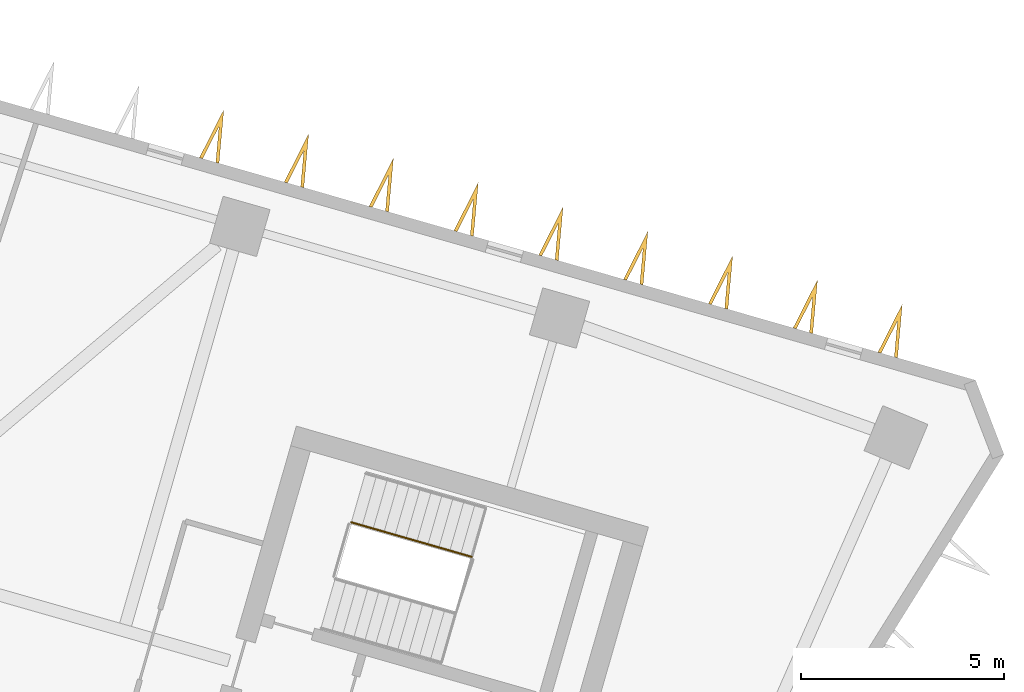
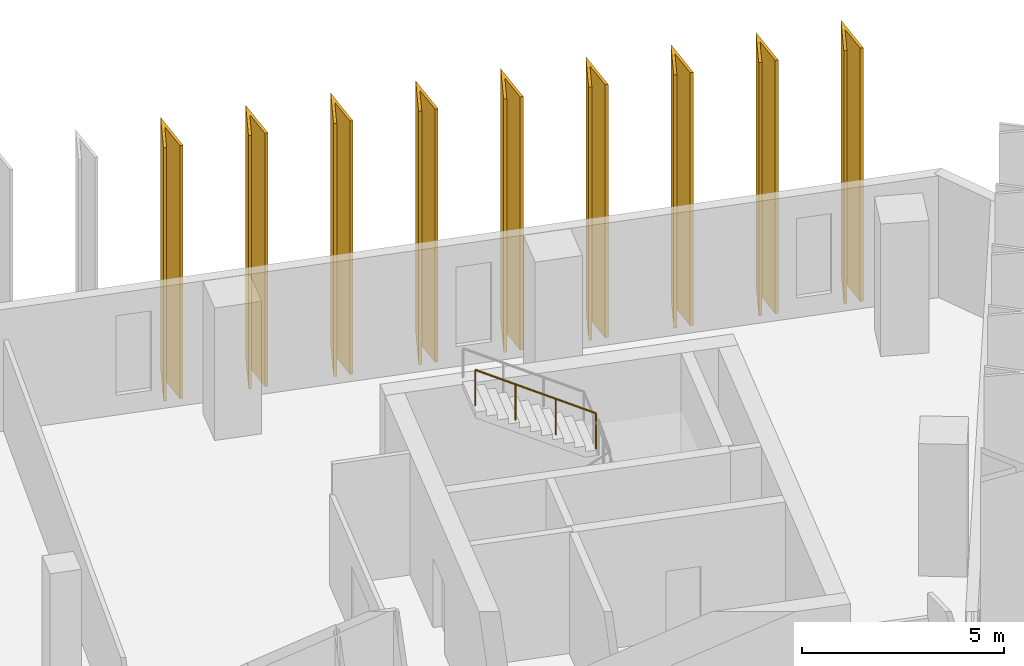
# One storey, part 10 of 10: 9 shading devices, 1 railing.
"""IFC4 building model written with IfcOpenShell, lengths in metres."""

from ifc_helpers import new_model, si_unit, direction, frame, origin, origin_2d, place, context, subcontext, project, spatial, polyline, circle, outline, extrude, material, type_object, element, save


model = new_model("IFC4")

# Units and contexts
model_context = context("Model", 3, precision=1e-05, world=origin(), true_north=direction((0.0, 1.0)))
body_context = subcontext(model_context, "Body", "Model", "MODEL_VIEW")
ifc_project = project(units=[si_unit("LENGTHUNIT", "METRE"), si_unit("AREAUNIT", "SQUARE_METRE"), si_unit("VOLUMEUNIT", "CUBIC_METRE"), si_unit("PLANEANGLEUNIT", "RADIAN"), si_unit("MASSUNIT", "GRAM", prefix="KILO")], contexts=[model_context])

# Site, building, storey
site_placement = place(None, origin())
site = spatial("IfcSite", under=ifc_project, at=site_placement, CompositionType="ELEMENT")
building_placement = place(site_placement, origin())
building = spatial("IfcBuilding", under=site, at=building_placement, Name="Binnacle Exchange Tower", CompositionType="ELEMENT")
storey_placement = place(building_placement, frame((0.0, 0.0, 194.89990234375)))
storey = spatial("IfcBuildingStorey", under=building, at=storey_placement, Name="L42", CompositionType="ELEMENT", Elevation=194.89990234375)

# Railing
ifc_material_1 = material(Name="Steel guard rail", Category="steel")
railing_type = type_object("IfcRailingType", Name="STAIR GUARD 1100", PredefinedType="GUARDRAIL", material=ifc_material_1)
railing_placement = place(storey_placement, frame((24.447021484375, 57.255126953125, 2.166748046875)))
element("IfcRailing", 1, at=railing_placement, inside=storey, type_object=railing_type, Name="L42 STD1 stair guard 2", PredefinedType="GUARDRAIL", context=body_context, shape_type="SweptSolid", body=[
    extrude(circle(Radius=0.02392578125, at=origin_2d()), frame((0.0, 0.0, 1.076171875), z_axis=(-0.826006950853, 0.236897186037, 0.511460888427), x_axis=(-0.27568413623, -0.961248280639, 0.0)), (0.0, 0.0, 1.0), 3.584228515625),
    extrude(circle(Radius=0.02099609375, at=origin_2d()), origin(), (0.0, 0.0, 1.0), 1.052001953125),
    extrude(circle(Radius=0.02099609375, at=origin_2d()), frame((-0.98681640625, 0.282958984375, 0.611083984375)), (0.0, 0.0, 1.0), 1.052001953125),
    extrude(circle(Radius=0.02099609375, at=origin_2d()), frame((-1.973876953125, 0.566162109375, 1.22216796875)), (0.0, 0.0, 1.0), 1.052001953125),
    extrude(circle(Radius=0.02099609375, at=origin_2d()), frame((-2.960693359375, 0.84912109375, 1.833251953125)), (0.0, 0.0, 1.0), 1.052001953125),
])

# Shading devices
ifc_material_2 = material(Name="Bronze aluminium cladding", Category="aluminium")
shading_device_type = type_object("IfcShadingDeviceType", Name="V FIN 1300 DEEP x 7650 HIGH", PredefinedType="USERDEFINED", material=ifc_material_2)
shading_device_1_placement = place(storey_placement, origin())
element("IfcShadingDevice", 2, at=shading_device_1_placement, inside=storey, type_object=shading_device_type, Name="V fin FN-G06-01 L42", ObjectType="FIN", PredefinedType="USERDEFINED", context=body_context, shape_type="SweptSolid", body=[
    extrude(outline(polyline([(34.90966796875, 62.145751953125), (35.027587890625, 63.46435546875), (34.42919921875, 62.28369140625), (34.50732421875, 62.26123046875), (34.910888671875, 63.05712890625), (34.831298828125, 62.168212890625), (34.90966796875, 62.145751953125)])), origin(), (0.0, 0.0, 1.0), 7.650146484375),
])
shading_device_2_placement = place(storey_placement, origin())
element("IfcShadingDevice", 3, at=shading_device_2_placement, inside=storey, type_object=shading_device_type, Name="V fin FN-G06-02 L42", ObjectType="FIN", PredefinedType="USERDEFINED", context=body_context, shape_type="SweptSolid", body=[
    extrude(outline(polyline([(32.825439453125, 62.743408203125), (32.943359375, 64.06201171875), (32.3447265625, 62.88134765625), (32.423095703125, 62.85888671875), (32.82666015625, 63.65478515625), (32.7470703125, 62.765869140625), (32.825439453125, 62.743408203125)])), origin(), (0.0, 0.0, 1.0), 7.650146484375),
])
shading_device_3_placement = place(storey_placement, origin())
element("IfcShadingDevice", 4, at=shading_device_3_placement, inside=storey, type_object=shading_device_type, Name="V fin FN-G06-03 L42", ObjectType="FIN", PredefinedType="USERDEFINED", context=body_context, shape_type="SweptSolid", body=[
    extrude(outline(polyline([(30.7412109375, 63.341064453125), (30.859130859375, 64.65966796875), (30.260498046875, 63.47900390625), (30.3388671875, 63.45654296875), (30.742431640625, 64.25244140625), (30.662841796875, 63.363525390625), (30.7412109375, 63.341064453125)])), origin(), (0.0, 0.0, 1.0), 7.650146484375),
])
shading_device_4_placement = place(storey_placement, origin())
element("IfcShadingDevice", 5, at=shading_device_4_placement, inside=storey, type_object=shading_device_type, Name="V fin FN-G06-04 L42", ObjectType="FIN", PredefinedType="USERDEFINED", context=body_context, shape_type="SweptSolid", body=[
    extrude(outline(polyline([(28.656982421875, 63.938720703125), (28.77490234375, 65.25732421875), (28.17626953125, 64.07666015625), (28.254638671875, 64.05419921875), (28.658203125, 64.85009765625), (28.57861328125, 63.961181640625), (28.656982421875, 63.938720703125)])), origin(), (0.0, 0.0, 1.0), 7.650146484375),
])
shading_device_5_placement = place(storey_placement, origin())
element("IfcShadingDevice", 6, at=shading_device_5_placement, inside=storey, type_object=shading_device_type, Name="V fin FN-G06-05 L42", ObjectType="FIN", PredefinedType="USERDEFINED", context=body_context, shape_type="SweptSolid", body=[
    extrude(outline(polyline([(26.57275390625, 64.536376953125), (26.690673828125, 65.85498046875), (26.092041015625, 64.67431640625), (26.17041015625, 64.65185546875), (26.573974609375, 65.44775390625), (26.494384765625, 64.558837890625), (26.57275390625, 64.536376953125)])), origin(), (0.0, 0.0, 1.0), 7.650146484375),
])
shading_device_6_placement = place(storey_placement, origin())
element("IfcShadingDevice", 7, at=shading_device_6_placement, inside=storey, type_object=shading_device_type, Name="V fin FN-G06-06 L42", ObjectType="FIN", PredefinedType="USERDEFINED", context=body_context, shape_type="SweptSolid", body=[
    extrude(outline(polyline([(24.488525390625, 65.134033203125), (24.6064453125, 66.45263671875), (24.0078125, 65.27197265625), (24.086181640625, 65.24951171875), (24.48974609375, 66.04541015625), (24.41015625, 65.156494140625), (24.488525390625, 65.134033203125)])), origin(), (0.0, 0.0, 1.0), 7.650146484375),
])
shading_device_7_placement = place(storey_placement, origin())
element("IfcShadingDevice", 8, at=shading_device_7_placement, inside=storey, type_object=shading_device_type, Name="V fin FN-G06-07 L42", ObjectType="FIN", PredefinedType="USERDEFINED", context=body_context, shape_type="SweptSolid", body=[
    extrude(outline(polyline([(22.404296875, 65.731689453125), (22.522216796875, 67.05029296875), (21.923583984375, 65.869384765625), (22.001953125, 65.84716796875), (22.405517578125, 66.64306640625), (22.325927734375, 65.754150390625), (22.404296875, 65.731689453125)])), origin(), (0.0, 0.0, 1.0), 7.650146484375),
])
shading_device_8_placement = place(storey_placement, origin())
element("IfcShadingDevice", 9, at=shading_device_8_placement, inside=storey, type_object=shading_device_type, Name="V fin FN-G06-08 L42", ObjectType="FIN", PredefinedType="USERDEFINED", context=body_context, shape_type="SweptSolid", body=[
    extrude(outline(polyline([(20.320068359375, 66.329345703125), (20.43798828125, 67.64794921875), (19.83935546875, 66.46728515625), (19.917724609375, 66.44482421875), (20.3212890625, 67.24072265625), (20.24169921875, 66.351806640625), (20.320068359375, 66.329345703125)])), origin(), (0.0, 0.0, 1.0), 7.650146484375),
])
shading_device_9_placement = place(storey_placement, origin())
element("IfcShadingDevice", 10, at=shading_device_9_placement, inside=storey, type_object=shading_device_type, Name="V fin FN-G06-09 L42", ObjectType="FIN", PredefinedType="USERDEFINED", context=body_context, shape_type="SweptSolid", body=[
    extrude(outline(polyline([(18.23583984375, 66.927001953125), (18.353759765625, 68.24560546875), (17.755126953125, 67.064697265625), (17.83349609375, 67.04248046875), (18.237060546875, 67.83837890625), (18.157470703125, 66.949462890625), (18.23583984375, 66.927001953125)])), origin(), (0.0, 0.0, 1.0), 7.650146484375),
])

save(model, "model.ifc")
